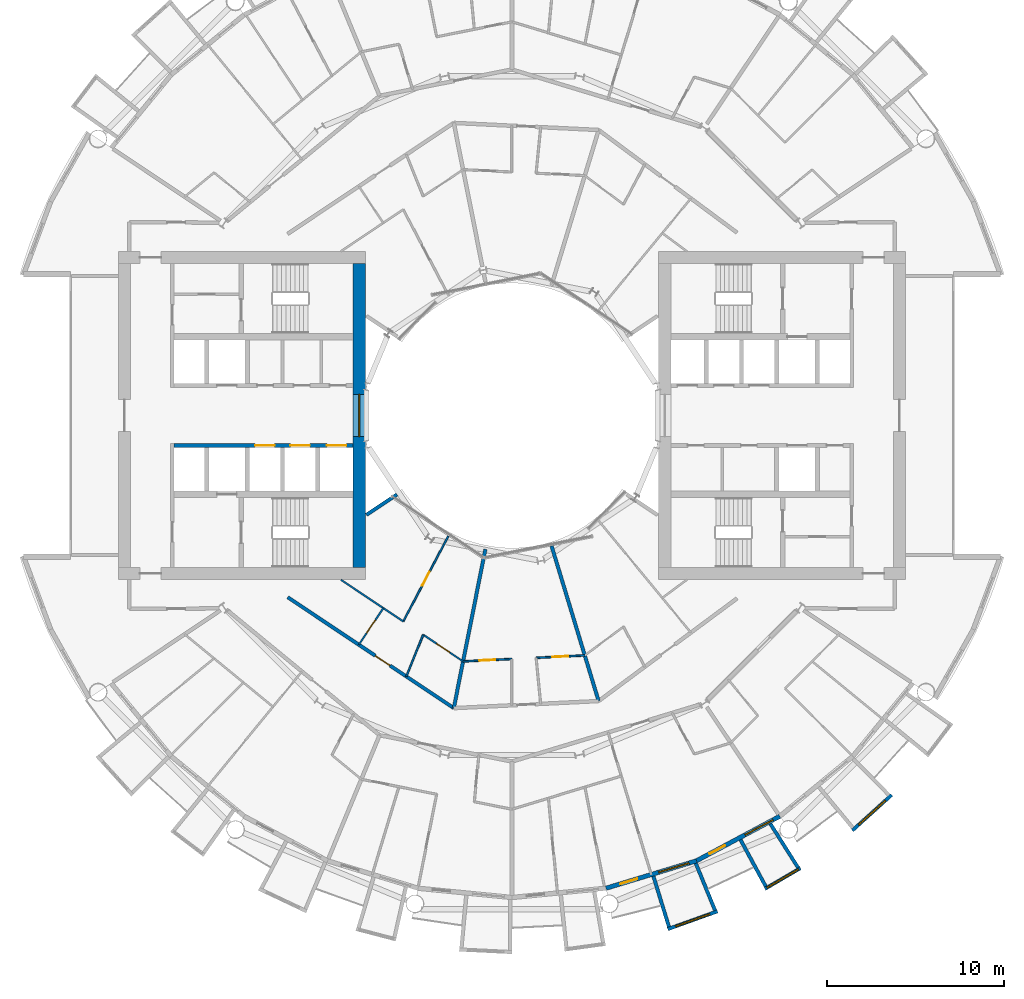
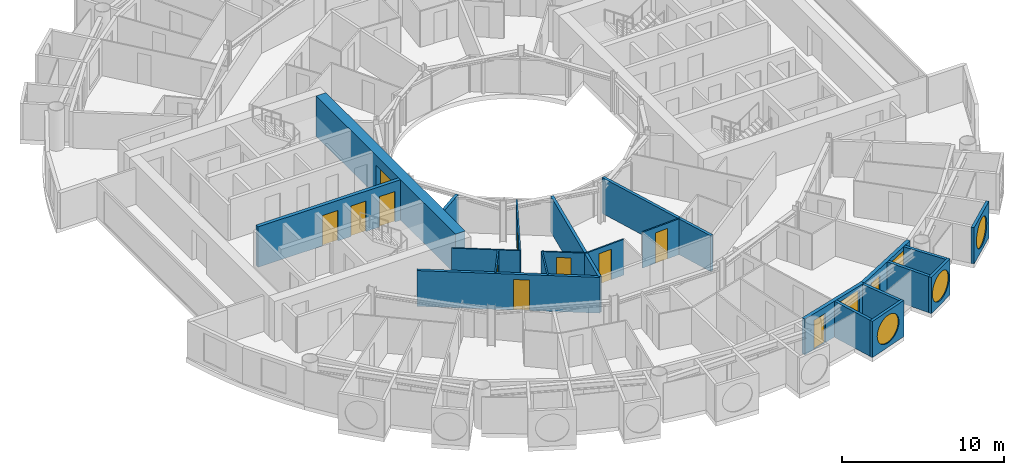
# One storey, part 15 of 26: 22 walls, 11 doors, 6 windows, 17 openings.
"""IFC4 building model written with IfcOpenShell, lengths in metres."""

from ifc_helpers import new_model, si_unit, direction, frame, frame_2d, origin, place, context, subcontext, project, spatial, rectangle, circle, extrude, material, layer, layer_set, type_object, element, fill, save


model = new_model("IFC4")

# Units and contexts
model_context = context("Model", 3, precision=1e-05, world=origin(), true_north=direction((0.0, 1.0)))
body_context = subcontext(model_context, "Body", "Model", "MODEL_VIEW")
ifc_project = project(units=[si_unit("LENGTHUNIT", "METRE"), si_unit("AREAUNIT", "SQUARE_METRE"), si_unit("VOLUMEUNIT", "CUBIC_METRE"), si_unit("PLANEANGLEUNIT", "RADIAN"), si_unit("MASSUNIT", "GRAM", prefix="KILO")], contexts=[model_context])

# Site, building, storey
site_placement = place(None, origin())
site = spatial("IfcSite", under=ifc_project, at=site_placement, CompositionType="ELEMENT")
building_placement = place(site_placement, origin())
building = spatial("IfcBuilding", under=site, at=building_placement, Name="Maasbend Ring Residences", CompositionType="ELEMENT")
storey_placement = place(building_placement, frame((0.0, 0.0, 88.0)))
storey = spatial("IfcBuildingStorey", under=building, at=storey_placement, Name="L25", CompositionType="ELEMENT", Elevation=88.0)

# Wall, openings, doors
ifc_material_1 = material(Name="Concrete C70/85", Category="concrete")
ifc_layer_1 = layer(ifc_material_1, 0.25)
ifc_layer_set_1 = layer_set([ifc_layer_1], Name="Concrete C70/85")
wall_type_1 = type_object("IfcWallType", Name="CORE WALL 250 C70/85", PredefinedType="SHEAR", material=ifc_layer_set_1)
wall_1_placement = place(storey_placement, frame((-9.0, -1.699951171875, 0.0), z_axis=(0.0, 0.0, 1.0), x_axis=(-1.0, 0.0, 0.0)))
wall_1 = element("IfcWall", 1, at=wall_1_placement, inside=storey, type_object=wall_type_1, Name="L25 core W wall SPN", PredefinedType="SHEAR", context=body_context, shape_type="SweptSolid", body=[
    extrude(rectangle(XDim=10.14990234375, YDim=0.25, at=frame_2d((5.074951171875, 0.0))), origin(), (0.0, 0.0, 1.0), 3.050048828125),
])
opening_1_placement = place(wall_1_placement, frame((0.387451171875, 0.0, 0.0)))
opening_1 = element("IfcOpeningElement", 2, at=opening_1_placement, cuts=wall_1, Name="Opening LD-W2501", PredefinedType="OPENING", context=body_context, shape_type="SweptSolid", body=[
    extrude(rectangle(XDim=1.10009765625, YDim=2.300048828125, at=frame_2d((0.550048828125, 1.14990234375))), frame((0.0, 0.135009765625, 0.0), z_axis=(0.0, -1.0, 0.0), x_axis=(1.0, 0.0, 0.0)), (0.0, 0.0, 1.0), 0.27001953125),
])
opening_2_placement = place(wall_1_placement, frame((2.449951171875, 0.0, 0.0)))
opening_2 = element("IfcOpeningElement", 3, at=opening_2_placement, cuts=wall_1, Name="Opening LD-W2502", PredefinedType="OPENING", context=body_context, shape_type="SweptSolid", body=[
    extrude(rectangle(XDim=1.10009765625, YDim=2.300048828125, at=frame_2d((0.550048828125, 1.14990234375))), frame((0.0, 0.135009765625, 0.0), z_axis=(0.0, -1.0, 0.0), x_axis=(1.0, 0.0, 0.0)), (0.0, 0.0, 1.0), 0.27001953125),
])
opening_3_placement = place(wall_1_placement, frame((4.449951171875, 0.0, 0.0)))
opening_3 = element("IfcOpeningElement", 4, at=opening_3_placement, cuts=wall_1, Name="Opening LD-W2503", PredefinedType="OPENING", context=body_context, shape_type="SweptSolid", body=[
    extrude(rectangle(XDim=1.10009765625, YDim=2.300048828125, at=frame_2d((0.550048828125, 1.14990234375))), frame((0.0, 0.135009765625, 0.0), z_axis=(0.0, -1.0, 0.0), x_axis=(1.0, 0.0, 0.0)), (0.0, 0.0, 1.0), 0.27001953125),
])
ifc_material_2 = material(Name="Stainless steel 316", Category="steel")
door_type_1 = type_object("IfcDoorType", Name="LANDING DOOR 1100 X 2300 FD60", OperationType="DOUBLE_DOOR_SLIDING", PredefinedType="DOOR", material=ifc_material_2)
door_1_placement = place(opening_1_placement, origin())
door_1 = element("IfcDoor", 5, at=door_1_placement, inside=storey, type_object=door_type_1, Name="Landing door LR-W1 L25", OperationType="DOUBLE_DOOR_SLIDING", OverallHeight=2.300048828125, OverallWidth=1.10009765625, PredefinedType="DOOR", context=body_context, shape_type="SweptSolid", body=[
    extrude(rectangle(XDim=1.10009765625, YDim=2.300048828125, at=frame_2d((0.550048828125, 1.14990234375))), frame((0.0, 0.02490234375, 0.0), z_axis=(0.0, -1.0, 0.0), x_axis=(1.0, 0.0, 0.0)), (0.0, 0.0, 1.0), 0.050048828125),
])
fill(opening_1, door_1)
door_2_placement = place(opening_2_placement, origin())
door_2 = element("IfcDoor", 6, at=door_2_placement, inside=storey, type_object=door_type_1, Name="Landing door LR-W2 L25", OperationType="DOUBLE_DOOR_SLIDING", OverallHeight=2.300048828125, OverallWidth=1.10009765625, PredefinedType="DOOR", context=body_context, shape_type="SweptSolid", body=[
    extrude(rectangle(XDim=1.10009765625, YDim=2.300048828125, at=frame_2d((0.550048828125, 1.14990234375))), frame((0.0, 0.02490234375, 0.0), z_axis=(0.0, -1.0, 0.0), x_axis=(1.0, 0.0, 0.0)), (0.0, 0.0, 1.0), 0.050048828125),
])
fill(opening_2, door_2)
door_3_placement = place(opening_3_placement, origin())
door_3 = element("IfcDoor", 7, at=door_3_placement, inside=storey, type_object=door_type_1, Name="Landing door LR-W3 L25", OperationType="DOUBLE_DOOR_SLIDING", OverallHeight=2.300048828125, OverallWidth=1.10009765625, PredefinedType="DOOR", context=body_context, shape_type="SweptSolid", body=[
    extrude(rectangle(XDim=1.10009765625, YDim=2.300048828125, at=frame_2d((0.550048828125, 1.14990234375))), frame((0.0, 0.02490234375, 0.0), z_axis=(0.0, -1.0, 0.0), x_axis=(1.0, 0.0, 0.0)), (0.0, 0.0, 1.0), 0.050048828125),
])
fill(opening_3, door_3)

# Wall, opening, window
ifc_material_3 = material(Name="Concrete C70/85", Category="concrete")
ifc_layer_2 = layer(ifc_material_3, 0.699951171875)
ifc_layer_set_2 = layer_set([ifc_layer_2], Name="Concrete C70/85")
wall_type_2 = type_object("IfcWallType", Name="CORE WALL 700 C70/85", PredefinedType="SHEAR", material=ifc_layer_set_2)
wall_2_placement = place(storey_placement, frame((-8.64990234375, 8.60009765625, 0.0), z_axis=(0.0, 0.0, 1.0), x_axis=(0.0, -1.0, 0.0)))
wall_2 = element("IfcWall", 8, at=wall_2_placement, inside=storey, type_object=wall_type_2, Name="L25 core W wall PIN", PredefinedType="SHEAR", context=body_context, shape_type="SweptSolid", body=[
    extrude(rectangle(XDim=17.2001953125, YDim=0.699951171875, at=frame_2d((8.60009765625, 0.0))), origin(), (0.0, 0.0, 1.0), 3.050048828125),
])
opening_4_placement = place(wall_2_placement, frame((7.39990234375, 0.0, 0.10009765625)))
opening_4 = element("IfcOpeningElement", 9, at=opening_4_placement, cuts=wall_2, Name="Opening W-W2501", PredefinedType="OPENING", context=body_context, shape_type="SweptSolid", body=[
    extrude(rectangle(XDim=2.39990234375, YDim=2.199951171875, at=frame_2d((1.199951171875, 1.10009765625))), frame((0.0, 0.35986328125, 0.0), z_axis=(0.0, -1.0, 0.0), x_axis=(1.0, 0.0, 0.0)), (0.0, 0.0, 1.0), 0.719970703125),
])
ifc_material_4 = material(Name="Aluminium frame and clear glass", Category="aluminium")
window_type_1 = type_object("IfcWindowType", Name="FIXED WINDOW 2400 X 2200", PartitioningType="SINGLE_PANEL", PredefinedType="WINDOW", material=ifc_material_4)
window_1_placement = place(opening_4_placement, origin())
window_1 = element("IfcWindow", 10, at=window_1_placement, inside=storey, type_object=window_type_1, Name="Lobby window L25", OverallHeight=2.199951171875, OverallWidth=2.39990234375, PartitioningType="SINGLE_PANEL", PredefinedType="WINDOW", context=body_context, shape_type="SweptSolid", body=[
    extrude(rectangle(XDim=2.39990234375, YDim=2.199951171875, at=frame_2d((1.199951171875, 1.10009765625))), frame((0.0, 0.030029296875, 0.0), z_axis=(0.0, -1.0, 0.0), x_axis=(1.0, 0.0, 0.0)), (0.0, 0.0, 1.0), 0.06005859375),
])
fill(opening_4, window_1)

# Wall, opening, door
ifc_material_5 = material(Name="Concrete C30/37", Category="concrete")
ifc_layer_3 = layer(ifc_material_5, 0.199951171875)
ifc_layer_set_3 = layer_set([ifc_layer_3], Name="Concrete C30/37")
wall_type_3 = type_object("IfcWallType", Name="CORRIDOR WALL 200 CONCRETE", PredefinedType="PARTITIONING", material=ifc_layer_set_3)
wall_3_placement = place(storey_placement, frame((-12.7060546875, -10.291015625, 0.0), z_axis=(0.0, 0.0, 1.0), x_axis=(0.831588572532, -0.555392155178, 0.0)))
wall_3 = element("IfcWall", 11, at=wall_3_placement, inside=storey, type_object=wall_type_3, Name="U-L25-w017", PredefinedType="PARTITIONING", context=body_context, shape_type="SweptSolid", body=[
    extrude(rectangle(XDim=11.314453125, YDim=0.199951171875, at=frame_2d((5.6572265625, 0.0))), origin(), (0.0, 0.0, 1.0), 2.699951171875),
])
opening_5_placement = place(wall_3_placement, frame((5.966064453125, 0.0, 0.0)))
opening_5 = element("IfcOpeningElement", 12, at=opening_5_placement, cuts=wall_3, Name="Opening D-2552", PredefinedType="OPENING", context=body_context, shape_type="SweptSolid", body=[
    extrude(rectangle(XDim=1.0, YDim=2.300048828125, at=frame_2d((0.5, 1.14990234375))), frame((0.0, 0.10986328125, 0.0), z_axis=(0.0, -1.0, 0.0), x_axis=(1.0, 0.0, 0.0)), (0.0, 0.0, 1.0), 0.219970703125),
])
ifc_material_6 = material(Name="Timber, fire-rated, painted", Category="wood")
door_type_2 = type_object("IfcDoorType", Name="FLAT ENTRANCE DOOR 1000 X 2300 FIRE-RATED", OperationType="NOTDEFINED", PredefinedType="DOOR", material=ifc_material_6)
door_4_placement = place(opening_5_placement, origin())
door_4 = element("IfcDoor", 13, at=door_4_placement, inside=storey, type_object=door_type_2, Name="D-2552", OperationType="SINGLE_SWING_RIGHT", OverallHeight=2.300048828125, OverallWidth=1.0, PredefinedType="DOOR", context=body_context, shape_type="SweptSolid", body=[
    extrude(rectangle(XDim=1.0, YDim=2.300048828125, at=frame_2d((0.5, 1.14990234375))), frame((0.0, 0.02490234375, 0.0), z_axis=(0.0, -1.0, 0.0), x_axis=(1.0, 0.0, 0.0)), (0.0, 0.0, 1.0), 0.050048828125),
])
fill(opening_5, door_4)

# Wall, opening, window
ifc_material_7 = material(Name="Pale anodised aluminium panel", Category="aluminium")
ifc_layer_4 = layer(ifc_material_7, 0.199951171875)
ifc_layer_set_4 = layer_set([ifc_layer_4], Name="EW-BOX")
wall_type_4 = type_object("IfcWallType", Name="EW-BOX", PredefinedType="SOLIDWALL", material=ifc_layer_set_4)
wall_4_placement = place(storey_placement, frame((8.820068359375, -29.093017578125, -0.030029296875), z_axis=(0.0, 0.0, 1.0), x_axis=(0.941461077774, 0.337121697664, 0.0)))
wall_4 = element("IfcWall", 14, at=wall_4_placement, inside=storey, type_object=wall_type_4, Name="Box front S14", PredefinedType="SOLIDWALL", context=body_context, shape_type="SweptSolid", body=[
    extrude(rectangle(XDim=2.9931640625, YDim=0.199951171875, at=frame_2d((1.49658203125, 0.0))), origin(), (0.0, 0.0, 1.0), 2.72998046875),
])
opening_6_placement = place(wall_4_placement, frame((0.45654296875, 0.0, 0.330078125)))
opening_6 = element("IfcOpeningElement", 15, at=opening_6_placement, cuts=wall_4, Name="Opening W-RD", PredefinedType="OPENING", context=body_context, shape_type="SweptSolid", body=[
    extrude(circle(Radius=1.0400390625, at=frame_2d((1.0400390625, 1.0400390625))), frame((0.0, 0.10986328125, 0.0), z_axis=(0.0, -1.0, 0.0), x_axis=(1.0, 0.0, 0.0)), (0.0, 0.0, 1.0), 0.219970703125),
])
ifc_material_8 = material(Name="Aluminium and clear glass", Category="aluminium")
window_type_2 = type_object("IfcWindowType", Name="W-RD", PartitioningType="SINGLE_PANEL", PredefinedType="WINDOW", material=ifc_material_8)
window_2_placement = place(opening_6_placement, origin())
window_2 = element("IfcWindow", 16, at=window_2_placement, inside=storey, type_object=window_type_2, Name="Round window S14", OverallHeight=2.080078125, OverallWidth=2.080078125, PartitioningType="SINGLE_PANEL", PredefinedType="WINDOW", context=body_context, shape_type="SweptSolid", body=[
    extrude(circle(Radius=1.0400390625, at=frame_2d((1.0400390625, 1.0400390625))), frame((0.0, 0.030029296875, 0.0), z_axis=(0.0, -1.0, 0.0), x_axis=(1.0, 0.0, 0.0)), (0.0, 0.0, 1.0), 0.06005859375),
])
fill(opening_6, window_2)

# Walls
wall_5_placement = place(storey_placement, frame((8.009033203125, -26.092041015625, -0.030029296875), z_axis=(0.0, 0.0, 1.0), x_axis=(0.293406695073, -0.955987715029, 0.0)))
element("IfcWall", 17, at=wall_5_placement, inside=storey, type_object=wall_type_4, Name="Box side wall S14 left", PredefinedType="SOLIDWALL", context=body_context, shape_type="SweptSolid", body=[
    extrude(rectangle(XDim=3.00634765625, YDim=0.199951171875, at=frame_2d((1.503173828125, 0.0))), origin(), (0.0, 0.0, 1.0), 2.72998046875),
])
wall_6_placement = place(storey_placement, frame((10.408935546875, -25.364013671875, -0.030029296875), z_axis=(0.0, 0.0, 1.0), x_axis=(0.379509886562, -0.925187681501, 0.0)))
element("IfcWall", 18, at=wall_6_placement, inside=storey, type_object=wall_type_4, Name="Box side wall S14 right", PredefinedType="SOLIDWALL", context=body_context, shape_type="SweptSolid", body=[
    extrude(rectangle(XDim=2.882568359375, YDim=0.199951171875, at=frame_2d((1.44140625, 0.0))), origin(), (0.0, 0.0, 1.0), 2.72998046875),
])

# Wall, opening, window
wall_7_placement = place(storey_placement, frame((14.326904296875, -26.81201171875, -0.030029296875), z_axis=(0.0, 0.0, 1.0), x_axis=(0.863346521872, 0.504611517081, 0.0)))
wall_7 = element("IfcWall", 19, at=wall_7_placement, inside=storey, type_object=wall_type_4, Name="Box front S16", PredefinedType="SOLIDWALL", context=body_context, shape_type="SweptSolid", body=[
    extrude(rectangle(XDim=2.33642578125, YDim=0.199951171875, at=frame_2d((1.168212890625, 0.0))), origin(), (0.0, 0.0, 1.0), 2.72998046875),
])
opening_7_placement = place(wall_7_placement, frame((0.128173828125, 0.0, 0.330078125)))
opening_7 = element("IfcOpeningElement", 20, at=opening_7_placement, cuts=wall_7, Name="Opening W-RD", PredefinedType="OPENING", context=body_context, shape_type="SweptSolid", body=[
    extrude(circle(Radius=1.0400390625, at=frame_2d((1.0400390625, 1.0400390625))), frame((0.0, 0.10986328125, 0.0), z_axis=(0.0, -1.0, 0.0), x_axis=(1.0, 0.0, 0.0)), (0.0, 0.0, 1.0), 0.219970703125),
])
window_3_placement = place(opening_7_placement, origin())
window_3 = element("IfcWindow", 21, at=window_3_placement, inside=storey, type_object=window_type_2, Name="Round window S16", OverallHeight=2.080078125, OverallWidth=2.080078125, PartitioningType="SINGLE_PANEL", PredefinedType="WINDOW", context=body_context, shape_type="SweptSolid", body=[
    extrude(circle(Radius=1.0400390625, at=frame_2d((1.0400390625, 1.0400390625))), frame((0.0, 0.030029296875, 0.0), z_axis=(0.0, -1.0, 0.0), x_axis=(1.0, 0.0, 0.0)), (0.0, 0.0, 1.0), 0.06005859375),
])
fill(opening_7, window_3)

# Walls
wall_8_placement = place(storey_placement, frame((12.945068359375, -24.029052734375, -0.030029296875), z_axis=(0.0, 0.0, 1.0), x_axis=(0.474424310775, -0.88029629861, 0.0)))
element("IfcWall", 22, at=wall_8_placement, inside=storey, type_object=wall_type_4, Name="Box side wall S16 left", PredefinedType="SOLIDWALL", context=body_context, shape_type="SweptSolid", body=[
    extrude(rectangle(XDim=3.005859375, YDim=0.199951171875, at=frame_2d((1.5029296875, 0.0))), origin(), (0.0, 0.0, 1.0), 2.72998046875),
])
wall_9_placement = place(storey_placement, frame((14.635009765625, -23.1259765625, -0.030029296875), z_axis=(0.0, 0.0, 1.0), x_axis=(0.534437802731, -0.845207805816, 0.0)))
element("IfcWall", 23, at=wall_9_placement, inside=storey, type_object=wall_type_4, Name="Box side wall S16 right", PredefinedType="SOLIDWALL", context=body_context, shape_type="SweptSolid", body=[
    extrude(rectangle(XDim=2.931884765625, YDim=0.199951171875, at=frame_2d((1.4658203125, 0.0))), origin(), (0.0, 0.0, 1.0), 2.72998046875),
])

# Wall, opening, window
wall_10_placement = place(storey_placement, frame((19.281982421875, -23.5029296875, -0.030029296875), z_axis=(0.0, 0.0, 1.0), x_axis=(0.740998365753, 0.671506829416, 0.0)))
wall_10 = element("IfcWall", 24, at=wall_10_placement, inside=storey, type_object=wall_type_4, Name="Box front S18", PredefinedType="SOLIDWALL", context=body_context, shape_type="SweptSolid", body=[
    extrude(rectangle(XDim=2.9931640625, YDim=0.199951171875, at=frame_2d((1.49658203125, 0.0))), origin(), (0.0, 0.0, 1.0), 2.72998046875),
])
opening_8_placement = place(wall_10_placement, frame((0.45654296875, 0.0, 0.330078125)))
opening_8 = element("IfcOpeningElement", 25, at=opening_8_placement, cuts=wall_10, Name="Opening W-RD", PredefinedType="OPENING", context=body_context, shape_type="SweptSolid", body=[
    extrude(circle(Radius=1.0400390625, at=frame_2d((1.0400390625, 1.0400390625))), frame((0.0, 0.10986328125, 0.0), z_axis=(0.0, -1.0, 0.0), x_axis=(1.0, 0.0, 0.0)), (0.0, 0.0, 1.0), 0.219970703125),
])
window_4_placement = place(opening_8_placement, origin())
window_4 = element("IfcWindow", 26, at=window_4_placement, inside=storey, type_object=window_type_2, Name="Round window S18", OverallHeight=2.080078125, OverallWidth=2.080078125, PartitioningType="SINGLE_PANEL", PredefinedType="WINDOW", context=body_context, shape_type="SweptSolid", body=[
    extrude(circle(Radius=1.0400390625, at=frame_2d((1.0400390625, 1.0400390625))), frame((0.0, 0.030029296875, 0.0), z_axis=(0.0, -1.0, 0.0), x_axis=(1.0, 0.0, 0.0)), (0.0, 0.0, 1.0), 0.06005859375),
])
fill(opening_8, window_4)

# Wall, openings, door, window
ifc_material_9 = material(Name="Aluminium clad insulated panel", Category="aluminium")
ifc_layer_5 = layer(ifc_material_9, 0.25)
ifc_layer_set_5 = layer_set([ifc_layer_5], Name="EW-GL")
wall_type_5 = type_object("IfcWallType", Name="EW-GL", PredefinedType="SOLIDWALL", material=ifc_layer_set_5)
wall_11_placement = place(storey_placement, frame((5.325927734375, -26.77490234375, 0.0), z_axis=(0.0, 0.0, 1.0), x_axis=(0.956965678721, 0.290201119486, 0.0)))
wall_11 = element("IfcWall", 27, at=wall_11_placement, inside=storey, type_object=wall_type_5, Name="External wall S07", PredefinedType="SOLIDWALL", context=body_context, shape_type="SweptSolid", body=[
    extrude(rectangle(XDim=5.351318359375, YDim=0.25, at=frame_2d((2.67578125, 0.0))), origin(), (0.0, 0.0, 1.0), 2.699951171875),
])
opening_9_placement = place(wall_11_placement, frame((0.841064453125, 0.0, 0.0)))
opening_9 = element("IfcOpeningElement", 28, at=opening_9_placement, cuts=wall_11, Name="Opening D-LG", PredefinedType="OPENING", context=body_context, shape_type="SweptSolid", body=[
    extrude(rectangle(XDim=1.0, YDim=2.199951171875, at=frame_2d((0.5, 1.10009765625))), frame((0.0, 0.135009765625, 0.0), z_axis=(0.0, -1.0, 0.0), x_axis=(1.0, 0.0, 0.0)), (0.0, 0.0, 1.0), 0.27001953125),
])
opening_10_placement = place(wall_11_placement, frame((3.110595703125, 0.0, 0.300048828125)))
opening_10 = element("IfcOpeningElement", 29, at=opening_10_placement, cuts=wall_11, Name="Opening W-BX", PredefinedType="OPENING", context=body_context, shape_type="SweptSolid", body=[
    extrude(rectangle(XDim=1.800048828125, YDim=2.10009765625, at=frame_2d((0.89990234375, 1.050048828125))), frame((0.0, 0.135009765625, 0.0), z_axis=(0.0, -1.0, 0.0), x_axis=(1.0, 0.0, 0.0)), (0.0, 0.0, 1.0), 0.27001953125),
])
ifc_material_10 = material(Name="Aluminium and clear glass", Category="aluminium")
door_type_3 = type_object("IfcDoorType", Name="D-LG", OperationType="SINGLE_SWING_LEFT", PredefinedType="DOOR", material=ifc_material_10)
door_5_placement = place(opening_9_placement, origin())
door_5 = element("IfcDoor", 30, at=door_5_placement, inside=storey, type_object=door_type_3, Name="Loggia door S13", OperationType="SINGLE_SWING_LEFT", OverallHeight=2.199951171875, OverallWidth=1.0, PredefinedType="DOOR", context=body_context, shape_type="SweptSolid", body=[
    extrude(rectangle(XDim=1.0, YDim=2.199951171875, at=frame_2d((0.5, 1.10009765625))), frame((0.0, 0.02490234375, 0.0), z_axis=(0.0, -1.0, 0.0), x_axis=(1.0, 0.0, 0.0)), (0.0, 0.0, 1.0), 0.050048828125),
])
fill(opening_9, door_5)
ifc_material_11 = material(Name="Aluminium and clear glass", Category="aluminium")
window_type_3 = type_object("IfcWindowType", Name="W-BX", PartitioningType="DOUBLE_PANEL_VERTICAL", PredefinedType="WINDOW", material=ifc_material_11)
window_5_placement = place(opening_10_placement, origin())
window_5 = element("IfcWindow", 31, at=window_5_placement, inside=storey, type_object=window_type_3, Name="Window S14 room to box", OverallHeight=2.10009765625, OverallWidth=1.800048828125, PartitioningType="SINGLE_PANEL", PredefinedType="WINDOW", context=body_context, shape_type="SweptSolid", body=[
    extrude(rectangle(XDim=1.800048828125, YDim=2.10009765625, at=frame_2d((0.89990234375, 1.050048828125))), frame((0.0, 0.030029296875, 0.0), z_axis=(0.0, -1.0, 0.0), x_axis=(1.0, 0.0, 0.0)), (0.0, 0.0, 1.0), 0.06005859375),
])
fill(opening_10, window_5)

wall_12_placement = place(storey_placement, frame((10.447021484375, -25.221923828125, 0.0), z_axis=(0.0, 0.0, 1.0), x_axis=(0.881915646801, 0.471407246368, 0.0)))
wall_12 = element("IfcWall", 32, at=wall_12_placement, inside=storey, type_object=wall_type_5, Name="External wall S08", PredefinedType="SOLIDWALL", context=body_context, shape_type="SweptSolid", body=[
    extrude(rectangle(XDim=5.35205078125, YDim=0.25, at=frame_2d((2.676025390625, 0.0))), origin(), (0.0, 0.0, 1.0), 2.699951171875),
])
opening_11_placement = place(wall_12_placement, frame((0.841064453125, 0.0, 0.0)))
opening_11 = element("IfcOpeningElement", 33, at=opening_11_placement, cuts=wall_12, Name="Opening D-LG", PredefinedType="OPENING", context=body_context, shape_type="SweptSolid", body=[
    extrude(rectangle(XDim=1.0, YDim=2.199951171875, at=frame_2d((0.5, 1.10009765625))), frame((0.0, 0.135009765625, 0.0), z_axis=(0.0, -1.0, 0.0), x_axis=(1.0, 0.0, 0.0)), (0.0, 0.0, 1.0), 0.27001953125),
])
opening_12_placement = place(wall_12_placement, frame((3.110595703125, 0.0, 0.300048828125)))
opening_12 = element("IfcOpeningElement", 34, at=opening_12_placement, cuts=wall_12, Name="Opening W-BX", PredefinedType="OPENING", context=body_context, shape_type="SweptSolid", body=[
    extrude(rectangle(XDim=1.800048828125, YDim=2.10009765625, at=frame_2d((0.89990234375, 1.050048828125))), frame((0.0, 0.135009765625, 0.0), z_axis=(0.0, -1.0, 0.0), x_axis=(1.0, 0.0, 0.0)), (0.0, 0.0, 1.0), 0.27001953125),
])
door_6_placement = place(opening_11_placement, origin())
door_6 = element("IfcDoor", 35, at=door_6_placement, inside=storey, type_object=door_type_3, Name="Loggia door S15", OperationType="SINGLE_SWING_LEFT", OverallHeight=2.199951171875, OverallWidth=1.0, PredefinedType="DOOR", context=body_context, shape_type="SweptSolid", body=[
    extrude(rectangle(XDim=1.0, YDim=2.199951171875, at=frame_2d((0.5, 1.10009765625))), frame((0.0, 0.02490234375, 0.0), z_axis=(0.0, -1.0, 0.0), x_axis=(1.0, 0.0, 0.0)), (0.0, 0.0, 1.0), 0.050048828125),
])
fill(opening_11, door_6)
window_6_placement = place(opening_12_placement, origin())
window_6 = element("IfcWindow", 36, at=window_6_placement, inside=storey, type_object=window_type_3, Name="Window S16 room to box", OverallHeight=2.10009765625, OverallWidth=1.800048828125, PartitioningType="SINGLE_PANEL", PredefinedType="WINDOW", context=body_context, shape_type="SweptSolid", body=[
    extrude(rectangle(XDim=1.800048828125, YDim=2.10009765625, at=frame_2d((0.89990234375, 1.050048828125))), frame((0.0, 0.030029296875, 0.0), z_axis=(0.0, -1.0, 0.0), x_axis=(1.0, 0.0, 0.0)), (0.0, 0.0, 1.0), 0.06005859375),
])
fill(opening_12, window_6)

# Wall, opening, door
ifc_material_12 = material(Name="Gypsum board on steel studs", Category="steel")
ifc_layer_6 = layer(ifc_material_12, 0.10009765625)
ifc_layer_set_6 = layer_set([ifc_layer_6], Name="PARTITION 100 GYPSUM")
wall_type_6 = type_object("IfcWallType", Name="PARTITION 100 GYPSUM", PredefinedType="PARTITIONING", material=ifc_layer_set_6)
wall_13_placement = place(storey_placement, frame((-2.77197265625, -13.927001953125, 0.0), z_axis=(0.0, 0.0, 1.0), x_axis=(0.998787571158, 0.04922791586, 0.0)))
wall_13 = element("IfcWall", 37, at=wall_13_placement, inside=storey, type_object=wall_type_6, Name="U-L25-w018", PredefinedType="PARTITIONING", context=body_context, shape_type="SweptSolid", body=[
    extrude(rectangle(XDim=2.762451171875, YDim=0.10009765625, at=frame_2d((1.38134765625, 0.0))), origin(), (0.0, 0.0, 1.0), 2.699951171875),
])
opening_13_placement = place(wall_13_placement, frame((0.93310546875, 0.0, 0.0)))
opening_13 = element("IfcOpeningElement", 38, at=opening_13_placement, cuts=wall_13, Name="Opening D-2558", PredefinedType="OPENING", context=body_context, shape_type="SweptSolid", body=[
    extrude(rectangle(XDim=0.89990234375, YDim=2.300048828125, at=frame_2d((0.449951171875, 1.14990234375))), frame((0.0, 0.06005859375, 0.0), z_axis=(0.0, -1.0, 0.0), x_axis=(1.0, 0.0, 0.0)), (0.0, 0.0, 1.0), 0.1201171875),
])
ifc_material_13 = material(Name="Timber, painted", Category="wood")
door_type_4 = type_object("IfcDoorType", Name="INTERNAL DOOR 900 X 2300", OperationType="NOTDEFINED", PredefinedType="DOOR", material=ifc_material_13)
door_7_placement = place(opening_13_placement, origin())
door_7 = element("IfcDoor", 39, at=door_7_placement, inside=storey, type_object=door_type_4, Name="D-2558", OperationType="SINGLE_SWING_RIGHT", OverallHeight=2.300048828125, OverallWidth=0.89990234375, PredefinedType="DOOR", context=body_context, shape_type="SweptSolid", body=[
    extrude(rectangle(XDim=0.89990234375, YDim=2.300048828125, at=frame_2d((0.449951171875, 1.14990234375))), frame((0.0, 0.02490234375, 0.0), z_axis=(0.0, -1.0, 0.0), x_axis=(1.0, 0.0, 0.0)), (0.0, 0.0, 1.0), 0.050048828125),
])
fill(opening_13, door_7)

wall_14_placement = place(storey_placement, frame((1.364990234375, -13.72412109375, 0.0), z_axis=(0.0, 0.0, 1.0), x_axis=(0.99880320044, 0.048909782152, 0.0)))
wall_14 = element("IfcWall", 40, at=wall_14_placement, inside=storey, type_object=wall_type_6, Name="U-L25-w019", PredefinedType="PARTITIONING", context=body_context, shape_type="SweptSolid", body=[
    extrude(rectangle(XDim=2.760498046875, YDim=0.10009765625, at=frame_2d((1.38037109375, 0.0))), origin(), (0.0, 0.0, 1.0), 2.699951171875),
])
opening_14_placement = place(wall_14_placement, frame((0.929931640625, 0.0, 0.0)))
opening_14 = element("IfcOpeningElement", 41, at=opening_14_placement, cuts=wall_14, Name="Opening D-2557", PredefinedType="OPENING", context=body_context, shape_type="SweptSolid", body=[
    extrude(rectangle(XDim=0.89990234375, YDim=2.300048828125, at=frame_2d((0.449951171875, 1.14990234375))), frame((0.0, 0.06005859375, 0.0), z_axis=(0.0, -1.0, 0.0), x_axis=(1.0, 0.0, 0.0)), (0.0, 0.0, 1.0), 0.1201171875),
])
door_8_placement = place(opening_14_placement, origin())
door_8 = element("IfcDoor", 42, at=door_8_placement, inside=storey, type_object=door_type_4, Name="D-2557", OperationType="SINGLE_SWING_RIGHT", OverallHeight=2.300048828125, OverallWidth=0.89990234375, PredefinedType="DOOR", context=body_context, shape_type="SweptSolid", body=[
    extrude(rectangle(XDim=0.89990234375, YDim=2.300048828125, at=frame_2d((0.449951171875, 1.14990234375))), frame((0.0, 0.02490234375, 0.0), z_axis=(0.0, -1.0, 0.0), x_axis=(1.0, 0.0, 0.0)), (0.0, 0.0, 1.0), 0.050048828125),
])
fill(opening_14, door_8)

# Wall
wall_15_placement = place(storey_placement, frame((-9.693115234375, -9.302001953125, 0.0), z_axis=(0.0, 0.0, 1.0), x_axis=(0.831546497949, -0.555455148278, 0.0)))
element("IfcWall", 43, at=wall_15_placement, inside=storey, type_object=wall_type_6, Name="U-L25-w022", PredefinedType="PARTITIONING", context=body_context, shape_type="SweptSolid", body=[
    extrude(rectangle(XDim=4.25244140625, YDim=0.10009765625, at=frame_2d((2.126220703125, 0.0))), origin(), (0.0, 0.0, 1.0), 2.699951171875),
])

# Wall, opening, door
wall_16_placement = place(storey_placement, frame((-5.029052734375, -12.41796875, 0.0), z_axis=(0.0, 0.0, 1.0), x_axis=(0.831538390496, -0.555467285384, 0.0)))
wall_16 = element("IfcWall", 44, at=wall_16_placement, inside=storey, type_object=wall_type_6, Name="U-L25-w023", PredefinedType="PARTITIONING", context=body_context, shape_type="SweptSolid", body=[
    extrude(rectangle(XDim=2.716796875, YDim=0.10009765625, at=frame_2d((1.3583984375, 0.0))), origin(), (0.0, 0.0, 1.0), 2.699951171875),
])
opening_15_placement = place(wall_16_placement, frame((0.907958984375, 0.0, 0.0)))
opening_15 = element("IfcOpeningElement", 45, at=opening_15_placement, cuts=wall_16, Name="Opening D-2553", PredefinedType="OPENING", context=body_context, shape_type="SweptSolid", body=[
    extrude(rectangle(XDim=0.89990234375, YDim=2.300048828125, at=frame_2d((0.449951171875, 1.14990234375))), frame((0.0, 0.06005859375, 0.0), z_axis=(0.0, -1.0, 0.0), x_axis=(1.0, 0.0, 0.0)), (0.0, 0.0, 1.0), 0.1201171875),
])
door_9_placement = place(opening_15_placement, origin())
door_9 = element("IfcDoor", 46, at=door_9_placement, inside=storey, type_object=door_type_4, Name="D-2553", OperationType="SINGLE_SWING_LEFT", OverallHeight=2.300048828125, OverallWidth=0.89990234375, PredefinedType="DOOR", context=body_context, shape_type="SweptSolid", body=[
    extrude(rectangle(XDim=0.89990234375, YDim=2.300048828125, at=frame_2d((0.449951171875, 1.14990234375))), frame((0.0, 0.02490234375, 0.0), z_axis=(0.0, -1.0, 0.0), x_axis=(1.0, 0.0, 0.0)), (0.0, 0.0, 1.0), 0.050048828125),
])
fill(opening_15, door_9)

wall_17_placement = place(storey_placement, frame((-8.674072265625, -12.98193359375, 0.0), z_axis=(0.0, 0.0, 1.0), x_axis=(0.555355163998, 0.831613276602, 0.0)))
wall_17 = element("IfcWall", 47, at=wall_17_placement, inside=storey, type_object=wall_type_6, Name="U-L25-w040", PredefinedType="PARTITIONING", context=body_context, shape_type="SweptSolid", body=[
    extrude(rectangle(XDim=2.493896484375, YDim=0.10009765625, at=frame_2d((1.2470703125, 0.0))), origin(), (0.0, 0.0, 1.0), 2.699951171875),
])
opening_16_placement = place(wall_17_placement, frame((0.797119140625, 0.0, 0.0)))
opening_16 = element("IfcOpeningElement", 48, at=opening_16_placement, cuts=wall_17, Name="Opening D-2554", PredefinedType="OPENING", context=body_context, shape_type="SweptSolid", body=[
    extrude(rectangle(XDim=0.89990234375, YDim=2.300048828125, at=frame_2d((0.449951171875, 1.14990234375))), frame((0.0, 0.06005859375, 0.0), z_axis=(0.0, -1.0, 0.0), x_axis=(1.0, 0.0, 0.0)), (0.0, 0.0, 1.0), 0.1201171875),
])
door_10_placement = place(opening_16_placement, origin())
door_10 = element("IfcDoor", 49, at=door_10_placement, inside=storey, type_object=door_type_4, Name="D-2554", OperationType="SINGLE_SWING_RIGHT", OverallHeight=2.300048828125, OverallWidth=0.89990234375, PredefinedType="DOOR", context=body_context, shape_type="SweptSolid", body=[
    extrude(rectangle(XDim=0.89990234375, YDim=2.300048828125, at=frame_2d((0.449951171875, 1.14990234375))), frame((0.0, 0.02490234375, 0.0), z_axis=(0.0, -1.0, 0.0), x_axis=(1.0, 0.0, 0.0)), (0.0, 0.0, 1.0), 0.050048828125),
])
fill(opening_16, door_10)

wall_18_placement = place(storey_placement, frame((-6.157958984375, -11.6630859375, 0.0), z_axis=(0.0, 0.0, 1.0), x_axis=(0.466976820365, 0.884269556889, 0.0)))
wall_18 = element("IfcWall", 50, at=wall_18_placement, inside=storey, type_object=wall_type_6, Name="U-L25-w045", PredefinedType="PARTITIONING", context=body_context, shape_type="SweptSolid", body=[
    extrude(rectangle(XDim=5.46923828125, YDim=0.10009765625, at=frame_2d((2.734619140625, 0.0))), origin(), (0.0, 0.0, 1.0), 2.699951171875),
])
opening_17_placement = place(wall_18_placement, frame((2.283935546875, 0.0, 0.0)))
opening_17 = element("IfcOpeningElement", 51, at=opening_17_placement, cuts=wall_18, Name="Opening D-2555", PredefinedType="OPENING", context=body_context, shape_type="SweptSolid", body=[
    extrude(rectangle(XDim=0.89990234375, YDim=2.300048828125, at=frame_2d((0.449951171875, 1.14990234375))), frame((0.0, 0.06005859375, 0.0), z_axis=(0.0, -1.0, 0.0), x_axis=(1.0, 0.0, 0.0)), (0.0, 0.0, 1.0), 0.1201171875),
])
door_11_placement = place(opening_17_placement, origin())
door_11 = element("IfcDoor", 52, at=door_11_placement, inside=storey, type_object=door_type_4, Name="D-2555", OperationType="SINGLE_SWING_LEFT", OverallHeight=2.300048828125, OverallWidth=0.89990234375, PredefinedType="DOOR", context=body_context, shape_type="SweptSolid", body=[
    extrude(rectangle(XDim=0.89990234375, YDim=2.300048828125, at=frame_2d((0.449951171875, 1.14990234375))), frame((0.0, 0.02490234375, 0.0), z_axis=(0.0, -1.0, 0.0), x_axis=(1.0, 0.0, 0.0)), (0.0, 0.0, 1.0), 0.050048828125),
])
fill(opening_17, door_11)

# Walls
wall_19_placement = place(storey_placement, frame((-5.986083984375, -14.779052734375, 0.0), z_axis=(0.0, 0.0, 1.0), x_axis=(0.375649498413, 0.926761811008, 0.0)))
element("IfcWall", 53, at=wall_19_placement, inside=storey, type_object=wall_type_6, Name="U-L25-w046", PredefinedType="PARTITIONING", context=body_context, shape_type="SweptSolid", body=[
    extrude(rectangle(XDim=2.547607421875, YDim=0.10009765625, at=frame_2d((1.27392578125, 0.0))), origin(), (0.0, 0.0, 1.0), 2.699951171875),
])
ifc_material_14 = material(Name="Concrete C30/37", Category="concrete")
ifc_layer_7 = layer(ifc_material_14, 0.199951171875)
ifc_layer_set_7 = layer_set([ifc_layer_7], Name="Concrete C30/37")
wall_type_7 = type_object("IfcWallType", Name="PARTY WALL 200 CONCRETE", PredefinedType="PARTITIONING", material=ifc_layer_set_7)
wall_20_placement = place(storey_placement, frame((-6.512939453125, -4.471923828125, 0.0), z_axis=(0.0, 0.0, 1.0), x_axis=(-0.831382204863, -0.555701025225, 0.0)))
element("IfcWall", 54, at=wall_20_placement, inside=storey, type_object=wall_type_7, Name="U-L25-w026", PredefinedType="PARTITIONING", context=body_context, shape_type="SweptSolid", body=[
    extrude(rectangle(XDim=2.08203125, YDim=0.199951171875, at=frame_2d((1.041015625, 0.0))), origin(), (0.0, 0.0, 1.0), 2.699951171875),
])
wall_21_placement = place(storey_placement, frame((-3.297119140625, -16.574951171875, 0.0), z_axis=(0.0, 0.0, 1.0), x_axis=(0.19511354088, 0.980780661598, 0.0)))
element("IfcWall", 55, at=wall_21_placement, inside=storey, type_object=wall_type_7, Name="U-L25-w050", PredefinedType="PARTITIONING", context=body_context, shape_type="SweptSolid", body=[
    extrude(rectangle(XDim=9.179443359375, YDim=0.199951171875, at=frame_2d((4.58984375, 0.0))), origin(), (0.0, 0.0, 1.0), 2.699951171875),
])
wall_22_placement = place(storey_placement, frame((2.241943359375, -7.387939453125, 0.0), z_axis=(0.0, 0.0, 1.0), x_axis=(0.290225889812, -0.956958166736, 0.0)))
element("IfcWall", 56, at=wall_22_placement, inside=storey, type_object=wall_type_7, Name="U-L25-w063", PredefinedType="PARTITIONING", context=body_context, shape_type="SweptSolid", body=[
    extrude(rectangle(XDim=9.17919921875, YDim=0.199951171875, at=frame_2d((4.589599609375, 0.0))), origin(), (0.0, 0.0, 1.0), 2.699951171875),
])

save(model, "model.ifc")
